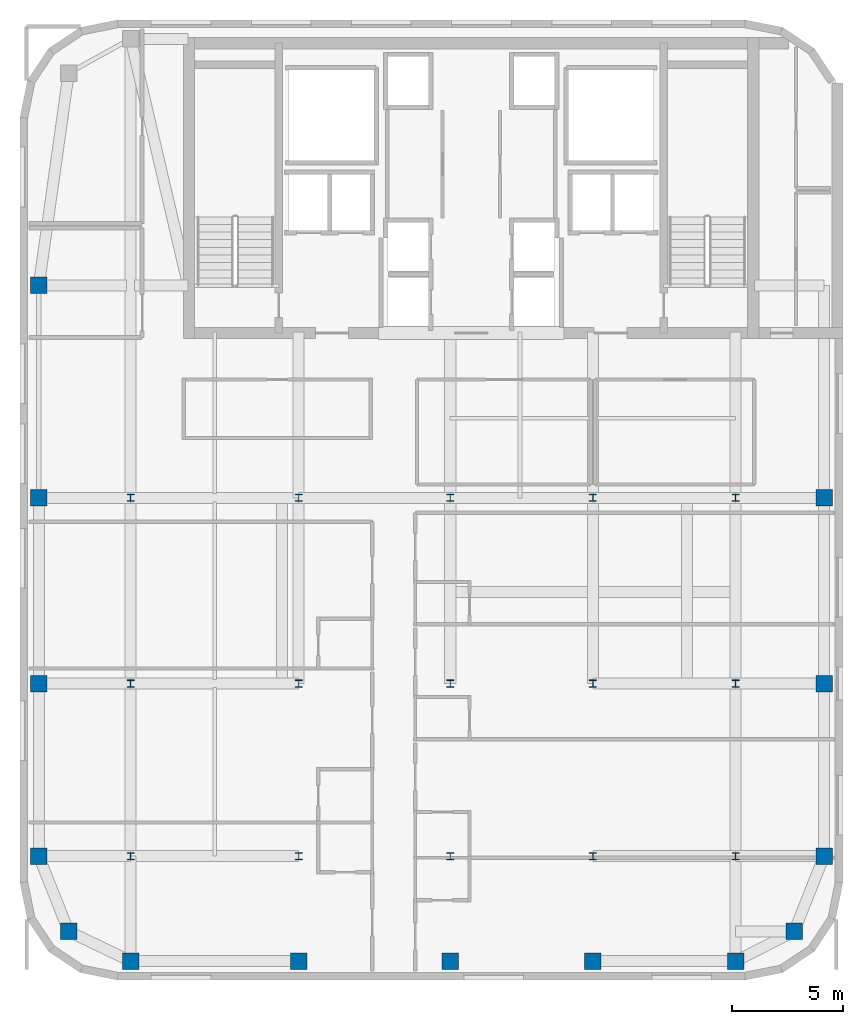
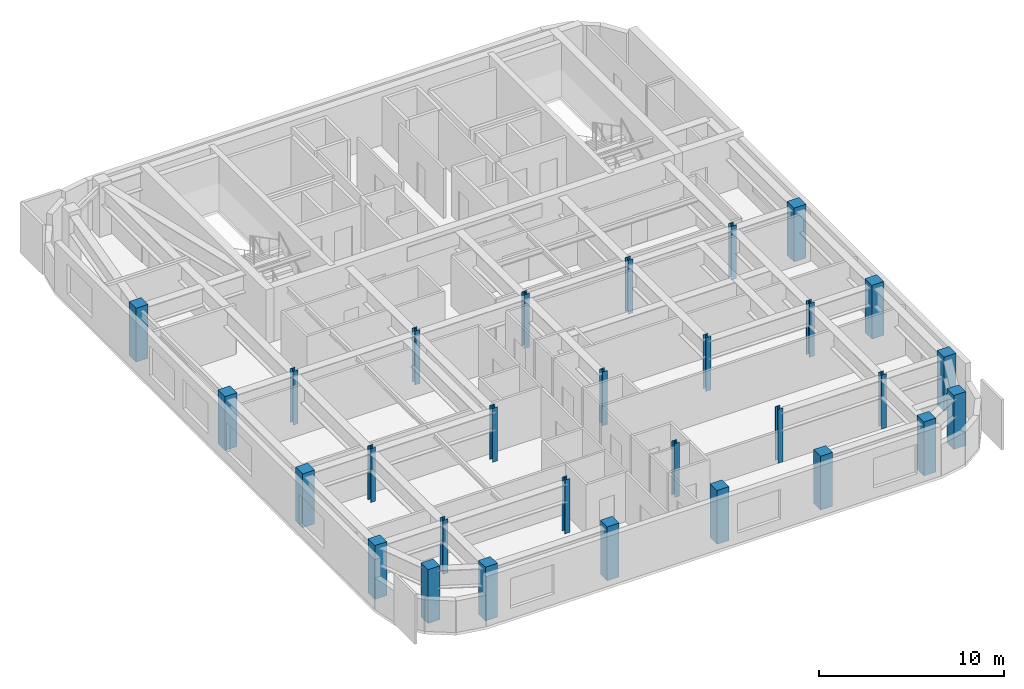
# One storey, part 1 of 8: 29 columns.
"""IFC4 building model written with IfcOpenShell, lengths in metres."""

import ifcopenshell
import ifcopenshell.guid

model = None  # the IFC model being written
_history = None  # IfcOwnerHistory: only IFC2X3 demands one
_inside = {}  # id of a spatial element -> (the spatial element, [elements in it])
_under = {}  # id of a project, library or spatial element -> (it, [spatial elements below it])
_declared = {}  # id of a project -> (the project, [libraries it declares])
_typed = {}  # id of a type object -> (the type object, [elements of that type])
_made_of = {}  # id of a material, layer set ... -> (it, [elements and type objects made of it])


def new_model(schema):
    """Start an empty IFC model of exactly this schema.

    Asked for "IFC4X3", IfcOpenShell would pick the latest addendum, in which some entities
    have other attributes; the version numbers below select the first issue.
    IFC2X3 requires an IfcOwnerHistory on every rooted entity: one is made here for all.
    """
    global model, _history
    if schema == "IFC4X3":
        model = ifcopenshell.file(schema_version=(4, 3, 0, 0))
    else:
        model = ifcopenshell.file(schema=schema)
    _inside.clear()
    _under.clear()
    _declared.clear()
    _typed.clear()
    _made_of.clear()
    _history = None
    if model.schema == "IFC2X3":
        org = make("IfcOrganization", Name="unknown")
        user = make(
            "IfcPersonAndOrganization",
            ThePerson=make("IfcPerson", FamilyName="unknown"),
            TheOrganization=org,
        )
        app = make(
            "IfcApplication",
            ApplicationDeveloper=org,
            Version="unknown",
            ApplicationFullName="unknown",
            ApplicationIdentifier="unknown",
        )
        _history = make(
            "IfcOwnerHistory",
            OwningUser=user,
            OwningApplication=app,
            ChangeAction="ADDED",
            CreationDate=0,
        )
    return model


def make(cls, **values):
    """One entity of the class cls with the attributes given. An attribute that is None is left unset."""
    return model.create_entity(
        cls, **{name: value for name, value in values.items() if value is not None}
    )


def rooted(cls, **values):
    """An entity with a GlobalId (a new one), such as an element, a storey or a relation."""
    return make(cls, GlobalId=ifcopenshell.guid.new(), OwnerHistory=_history, **values)


def si_unit(unit_type, name, prefix=None):
    """IfcSIUnit, for example si_unit("LENGTHUNIT", "METRE", prefix="MILLI")."""
    return make("IfcSIUnit", UnitType=unit_type, Prefix=prefix, Name=name)


def assignment(units):
    """IfcUnitAssignment: the units of a project."""
    return None if units is None else make("IfcUnitAssignment", Units=units)


def point(xyz):
    """IfcCartesianPoint."""
    return None if xyz is None else make("IfcCartesianPoint", Coordinates=xyz)


def direction(xyz):
    """IfcDirection."""
    return None if xyz is None else make("IfcDirection", DirectionRatios=xyz)


def frame(location, z_axis=None, x_axis=None):
    """IfcAxis2Placement3D, a coordinate frame: its origin and axes. An axis left out is left unset."""
    return make(
        "IfcAxis2Placement3D",
        Location=point(location),
        Axis=direction(z_axis),
        RefDirection=direction(x_axis),
    )


def frame_2d(location, x_axis=None):
    """IfcAxis2Placement2D, a coordinate frame in the plane: its origin and x axis."""
    return make(
        "IfcAxis2Placement2D", Location=point(location), RefDirection=direction(x_axis)
    )


def origin():
    """The frame at (0, 0, 0) with its axes left unset."""
    return frame((0.0, 0.0, 0.0))


def origin_2d():
    """The frame at (0, 0) in the plane with its x axis left unset."""
    return frame_2d((0.0, 0.0))


def place(relative_to, where):
    """IfcLocalPlacement: puts the frame where relative to a parent placement (None: the world)."""
    return make(
        "IfcLocalPlacement", PlacementRelTo=relative_to, RelativePlacement=where
    )


def context(
    kind, dimensions, precision=None, world=None, true_north=None, identifier=None
):
    """IfcGeometricRepresentationContext, for example the 3D "Model" context."""
    return make(
        "IfcGeometricRepresentationContext",
        ContextIdentifier=identifier,
        ContextType=kind,
        CoordinateSpaceDimension=dimensions,
        Precision=precision,
        WorldCoordinateSystem=world,
        TrueNorth=true_north,
    )


def subcontext(parent, identifier, kind, view, scale=None):
    """IfcGeometricRepresentationSubContext, for example "Body" below "Model"."""
    return make(
        "IfcGeometricRepresentationSubContext",
        ContextIdentifier=identifier,
        ContextType=kind,
        ParentContext=parent,
        TargetScale=scale,
        TargetView=view,
    )


def project(units=None, contexts=None):
    """IfcProject with its units and contexts."""
    return rooted(
        "IfcProject",
        Name="project",
        RepresentationContexts=contexts,
        UnitsInContext=assignment(units),
    )


def spatial(cls, under=None, at=None, **own):
    """A site, building, storey or space (cls), placed at a placement, below another one or the project."""
    s = rooted(cls, ObjectPlacement=at, **own)
    if under is not None:
        _under.setdefault(under.id(), (under, []))[1].append(s)
    return s


def profile(cls, at=None, kind="AREA", **sizes):
    """A parametric profile (cls). Its sizes go by their IFC names, for example OverallWidth=200.0."""
    return make(cls, ProfileType=kind, Position=at, **sizes)


def rectangle(**sizes):
    """IfcRectangleProfileDef."""
    return profile("IfcRectangleProfileDef", **sizes)


def i_section(**sizes):
    """IfcIShapeProfileDef."""
    return profile("IfcIShapeProfileDef", **sizes)


def extrude(swept, where, along, depth):
    """IfcExtrudedAreaSolid: the profile swept, set in the frame where, extruded along a direction by depth."""
    return make(
        "IfcExtrudedAreaSolid",
        SweptArea=swept,
        Position=where,
        ExtrudedDirection=direction(along),
        Depth=depth,
    )


def shape(context_of_items, identifier, shape_type, items):
    """IfcShapeRepresentation: the items that make up one representation, for example the "Body"."""
    return make(
        "IfcShapeRepresentation",
        ContextOfItems=context_of_items,
        RepresentationIdentifier=identifier,
        RepresentationType=shape_type,
        Items=items,
    )


def source(mapping_origin, context_of_items, identifier, shape_type, items):
    """IfcRepresentationMap: a shape defined once, which mapped items show again and again."""
    return make(
        "IfcRepresentationMap",
        MappingOrigin=mapping_origin,
        MappedRepresentation=shape(context_of_items, identifier, shape_type, items),
    )


def transform(
    local_origin,
    x_axis=None,
    y_axis=None,
    z_axis=None,
    scale=None,
    scale2=None,
    scale3=None,
    uniform=True,
):
    """IfcCartesianTransformationOperator3D, or its non-uniform kind. x_axis, y_axis, z_axis: its Axis1, 2, 3."""
    if uniform:
        return make(
            "IfcCartesianTransformationOperator3D",
            Axis1=direction(x_axis),
            Axis2=direction(y_axis),
            LocalOrigin=point(local_origin),
            Scale=scale,
            Axis3=direction(z_axis),
        )
    return make(
        "IfcCartesianTransformationOperator3DnonUniform",
        Axis1=direction(x_axis),
        Axis2=direction(y_axis),
        LocalOrigin=point(local_origin),
        Scale=scale,
        Axis3=direction(z_axis),
        Scale2=scale2,
        Scale3=scale3,
    )


def mapped(mapping_source, mapping_target):
    """IfcMappedItem: shows the shape of a source again, moved by a transform."""
    return make(
        "IfcMappedItem", MappingSource=mapping_source, MappingTarget=mapping_target
    )


def material(Name=None, Category=None):
    """IfcMaterial."""
    return make("IfcMaterial", Name=Name, Category=Category)


def material_profile(
    of_material, cross_section, Name=None, Category=None, Priority=None
):
    """IfcMaterialProfile: a cross section and its material."""
    return make(
        "IfcMaterialProfile",
        Name=Name,
        Material=of_material,
        Profile=cross_section,
        Priority=Priority,
        Category=Category,
    )


def profile_set(profiles, Name=None, composite=None):
    """IfcMaterialProfileSet."""
    return make(
        "IfcMaterialProfileSet",
        Name=Name,
        MaterialProfiles=profiles,
        CompositeProfile=composite,
    )


def made_of(thing, what):
    """Note that an element or type object is made of a material, layer set ...; save() writes the relation."""
    if what is not None:
        _made_of.setdefault(what.id(), (what, []))[1].append(thing)
    return thing


def type_object(cls, material=None, **own):
    """A type object (cls), such as IfcWallType, which elements share."""
    return made_of(rooted(cls, **own), material)


def type_shapes(of_type, sources):
    """Give a type object the sources (RepresentationMaps) that its elements show as mapped items."""
    of_type.RepresentationMaps = sources


def element(
    cls,
    number,
    at=None,
    inside=None,
    cuts=None,
    type_object=None,
    material=None,
    context=None,
    identifier="Body",
    shape_type=None,
    held_by="IfcProductDefinitionShape",
    body=None,
    shapes=None,
    **own,
):
    """One element of the class cls, such as IfcWall. Its Tag is "e" and its number.

    at: its placement. inside: the storey or other place that contains it. cuts: it is an
    opening in that element (IfcRelVoidsElement). A single representation is given by context,
    identifier, shape_type and body (its items); several are given by shapes. held_by: the class
    of the entity that holds the representations. save() writes the other relations.
    """
    e = rooted(cls, Tag="e%d" % number, ObjectPlacement=at, **own)
    if body is not None:
        shapes = [shape(context, identifier, shape_type, body)]
    if shapes is not None:
        e.Representation = make(held_by, Representations=shapes)
    if inside is not None:
        _inside.setdefault(inside.id(), (inside, []))[1].append(e)
    if cuts is not None:
        rooted(
            "IfcRelVoidsElement", RelatingBuildingElement=cuts, RelatedOpeningElement=e
        )
    if type_object is not None:
        _typed.setdefault(type_object.id(), (type_object, []))[1].append(e)
    return made_of(e, material)


def aggregate(whole, parts):
    """IfcRelAggregates: a whole, such as a stair, and the parts it consists of."""
    return rooted("IfcRelAggregates", RelatingObject=whole, RelatedObjects=parts)


def save(model, path):
    """Write the relations noted so far, then the file.

    IfcRelAggregates (storeys below a building ...), IfcRelContainedInSpatialStructure (elements
    in a storey), IfcRelDefinesByType, IfcRelAssociatesMaterial and IfcRelDeclares: one each for
    every whole, place, type object, material and project.
    """
    for whole, parts in _under.values():
        aggregate(whole, parts)
    for where, things in _inside.values():
        rooted(
            "IfcRelContainedInSpatialStructure",
            RelatedElements=things,
            RelatingStructure=where,
        )
    for kind, things in _typed.values():
        rooted("IfcRelDefinesByType", RelatedObjects=things, RelatingType=kind)
    for what, things in _made_of.values():
        rooted("IfcRelAssociatesMaterial", RelatedObjects=things, RelatingMaterial=what)
    for by, libraries in _declared.values():
        rooted("IfcRelDeclares", RelatingContext=by, RelatedDefinitions=libraries)
    model.write(path)


model = new_model("IFC4")

# Units and contexts
model_context = context("Model", 3, precision=1e-05, world=origin(), true_north=direction((0.0, 1.0)))
body_context = subcontext(model_context, "Body", "Model", "MODEL_VIEW")
ifc_project = project(units=[si_unit("LENGTHUNIT", "METRE"), si_unit("AREAUNIT", "SQUARE_METRE"), si_unit("VOLUMEUNIT", "CUBIC_METRE"), si_unit("PLANEANGLEUNIT", "RADIAN"), si_unit("MASSUNIT", "GRAM", prefix="KILO")], contexts=[model_context])

# Site, building, storey
site_placement = place(None, origin())
site = spatial("IfcSite", under=ifc_project, at=site_placement, CompositionType="ELEMENT")
building_placement = place(site_placement, origin())
building = spatial("IfcBuilding", under=site, at=building_placement, Name="Tolvann Quenvar Hotel", CompositionType="ELEMENT")
storey_placement = place(building_placement, frame((0.0, 0.0, 238.10009765625)))
storey = spatial("IfcBuildingStorey", under=building, at=storey_placement, Name="L63", CompositionType="ELEMENT", Elevation=238.10009765625)

# Columns
ifc_material_1 = material(Name="Concrete N50 (50 MPa)", Category="concrete")
ifc_material_profile_1 = material_profile(ifc_material_1, rectangle(XDim=0.75, YDim=0.75, at=origin_2d()), Name="RC750x750")
ifc_profile_set_1 = profile_set([ifc_material_profile_1], Name="Concrete N50 (50 MPa)")
column_type_1 = type_object("IfcColumnType", Name="COL_RC750", PredefinedType="COLUMN", material=ifc_profile_set_1)
shared_shape_1 = source(origin(), body_context, "Body", "SweptSolid", [
    extrude(rectangle(XDim=0.75, YDim=0.75, at=origin_2d()), origin(), (0.0, 0.0, 1.0), 3.5498046875),
])
type_shapes(column_type_1, [shared_shape_1])
for number, where, z_axis, x_axis, name in (
    (1, (4.800048828125, 4.800048828125, 0.0), (0.0, 0.0, 1.0), (1.0, 0.0, 0.0), "Column B2 (L63)"),
    (2, (3.449951171875, 8.199951171875, 0.0), (0.0, 0.0, 1.0), (1.0, 0.0, 0.0), "Column B3 (L63)"),
    (3, (3.449951171875, 16.0, 0.0), (0.0, 0.0, 1.0), (1.0, 0.0, 0.0), "Column B4 (L63)"),
    (4, (3.449951171875, 24.39990234375, 0.0), (0.0, 0.0, 1.0), (1.0, 0.0, 0.0), "Column B5 (L63)"),
    (5, (7.60009765625, 3.449951171875, 0.0), (0.0, 0.0, 1.0), (1.0, 0.0, 0.0), "Column C2 (L63)"),
    (6, (15.199951171875, 3.449951171875, 0.0), (0.0, 0.0, 1.0), (1.0, 0.0, 0.0), "Column D2 (L63)"),
    (7, (22.050048828125, 3.449951171875, 0.0), (0.0, 0.0, 1.0), (1.0, 0.0, 0.0), "Column E2 (L63)"),
    (8, (28.5, 3.449951171875, 0.0), (0.0, 0.0, 1.0), (1.0, 0.0, 0.0), "Column M2 (L63)"),
    (9, (34.949951171875, 3.449951171875, 0.0), (0.0, 0.0, 1.0), (1.0, 0.0, 0.0), "Column F2 (L63)"),
    (10, (37.60009765625, 4.800048828125, 0.0), (0.0, 0.0, 1.0), (1.0, 0.0, 0.0), "Column G2 (L63)"),
    (11, (38.949951171875, 8.199951171875, 0.0), (0.0, 0.0, 1.0), (1.0, 0.0, 0.0), "Column G3 (L63)"),
    (12, (38.949951171875, 16.0, 0.0), (0.0, 0.0, 1.0), (1.0, 0.0, 0.0), "Column G4 (L63)"),
    (13, (38.949951171875, 24.39990234375, 0.0), (0.0, 0.0, 1.0), (1.0, 0.0, 0.0), "Column G5 (L63)"),
    (14, (3.449951171875, 34.0, 0.0), (0.0, 0.0, 1.0), (1.0, 0.0, 0.0), "Column BD6 (L63)"),
):
    element("IfcColumn", number, at=place(storey_placement, frame(where, z_axis=z_axis, x_axis=x_axis)), inside=storey, type_object=column_type_1, Name=name, PredefinedType="COLUMN", context=body_context, shape_type="MappedRepresentation", body=[
        mapped(shared_shape_1, transform((0.0, 0.0, 0.0), x_axis=(1.0, 0.0, 0.0), y_axis=(0.0, 1.0, 0.0), z_axis=(0.0, 0.0, 1.0), scale=1.0)),
    ])
ifc_material_2 = material(Name="Steel Grade 350", Category="steel")
ifc_material_profile_2 = material_profile(ifc_material_2, i_section(OverallWidth=0.31103515625, OverallDepth=0.326904296875, WebThickness=0.015625, FlangeThickness=0.02490234375, FilletRadius=0.0166015625, at=origin_2d()), Name="310UC158")
ifc_profile_set_2 = profile_set([ifc_material_profile_2], Name="Steel Grade 350")
column_type_2 = type_object("IfcColumnType", Name="COL_310UC158", PredefinedType="COLUMN", material=ifc_profile_set_2)
shared_shape_2 = source(origin(), body_context, "Body", "SweptSolid", [
    extrude(i_section(OverallWidth=0.31103515625, OverallDepth=0.326904296875, WebThickness=0.015625, FlangeThickness=0.02490234375, FilletRadius=0.0166015625, at=origin_2d()), origin(), (0.0, 0.0, 1.0), 3.5498046875),
])
type_shapes(column_type_2, [shared_shape_2])
for number, where, z_axis, x_axis, name in (
    (15, (7.60009765625, 8.199951171875, 0.0), (0.0, 0.0, 1.0), (1.0, 0.0, 0.0), "Column C3 (L63)"),
    (16, (7.60009765625, 16.0, 0.0), (0.0, 0.0, 1.0), (1.0, 0.0, 0.0), "Column C4 (L63)"),
    (17, (7.60009765625, 24.39990234375, 0.0), (0.0, 0.0, 1.0), (1.0, 0.0, 0.0), "Column C5 (L63)"),
    (18, (15.199951171875, 8.199951171875, 0.0), (0.0, 0.0, 1.0), (1.0, 0.0, 0.0), "Column D3 (L63)"),
    (19, (15.199951171875, 16.0, 0.0), (0.0, 0.0, 1.0), (1.0, 0.0, 0.0), "Column D4 (L63)"),
    (20, (15.199951171875, 24.39990234375, 0.0), (0.0, 0.0, 1.0), (1.0, 0.0, 0.0), "Column D5 (L63)"),
    (21, (22.050048828125, 8.199951171875, 0.0), (0.0, 0.0, 1.0), (1.0, 0.0, 0.0), "Column E3 (L63)"),
    (22, (22.050048828125, 16.0, 0.0), (0.0, 0.0, 1.0), (1.0, 0.0, 0.0), "Column E4 (L63)"),
    (23, (22.050048828125, 24.39990234375, 0.0), (0.0, 0.0, 1.0), (1.0, 0.0, 0.0), "Column E5 (L63)"),
    (24, (28.5, 8.199951171875, 0.0), (0.0, 0.0, 1.0), (1.0, 0.0, 0.0), "Column M3 (L63)"),
    (25, (28.5, 16.0, 0.0), (0.0, 0.0, 1.0), (1.0, 0.0, 0.0), "Column M4 (L63)"),
    (26, (28.5, 24.39990234375, 0.0), (0.0, 0.0, 1.0), (1.0, 0.0, 0.0), "Column M5 (L63)"),
    (27, (34.949951171875, 8.199951171875, 0.0), (0.0, 0.0, 1.0), (1.0, 0.0, 0.0), "Column F3 (L63)"),
    (28, (34.949951171875, 16.0, 0.0), (0.0, 0.0, 1.0), (1.0, 0.0, 0.0), "Column F4 (L63)"),
    (29, (34.949951171875, 24.39990234375, 0.0), (0.0, 0.0, 1.0), (1.0, 0.0, 0.0), "Column F5 (L63)"),
):
    element("IfcColumn", number, at=place(storey_placement, frame(where, z_axis=z_axis, x_axis=x_axis)), inside=storey, type_object=column_type_2, Name=name, PredefinedType="COLUMN", context=body_context, shape_type="MappedRepresentation", body=[
        mapped(shared_shape_2, transform((0.0, 0.0, 0.0), x_axis=(1.0, 0.0, 0.0), y_axis=(0.0, 1.0, 0.0), z_axis=(0.0, 0.0, 1.0), scale=1.0)),
    ])

save(model, "model.ifc")
